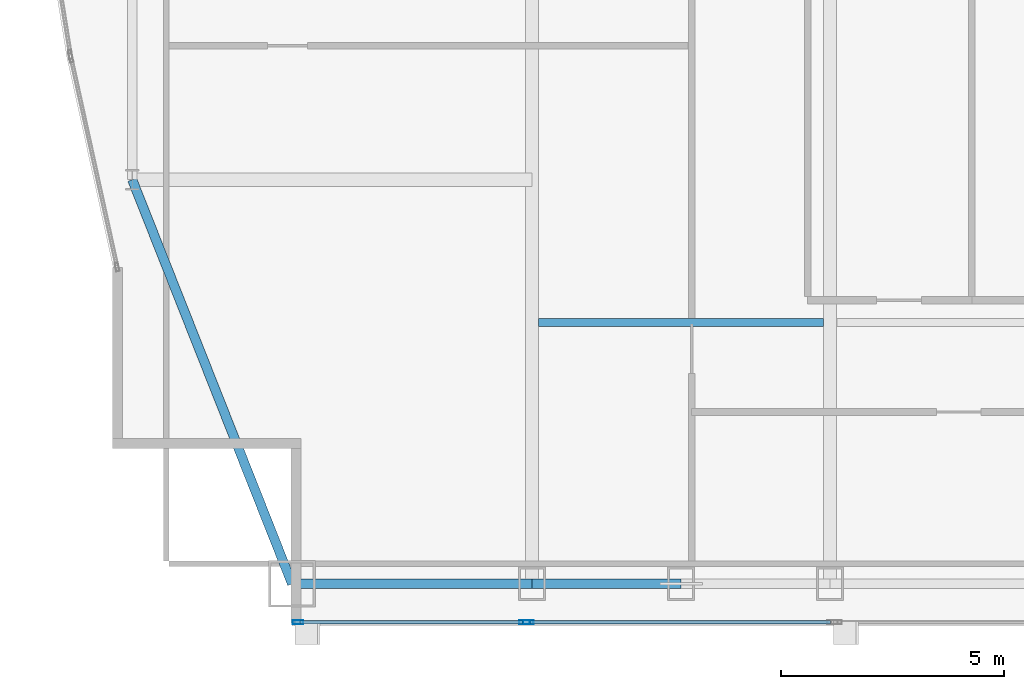
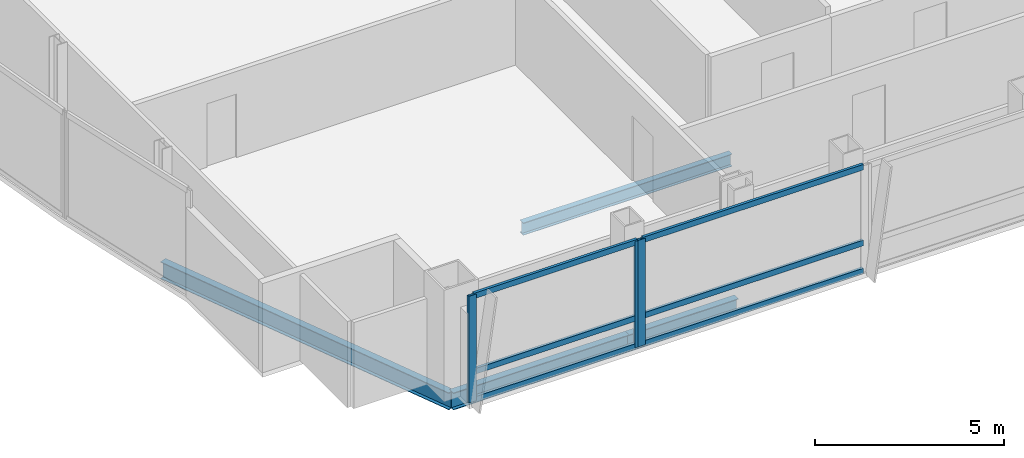
# One storey, part 5 of 30: 9 members, 4 beams, 2 elements without a shape of their own.
"""IFC4 building model written with IfcOpenShell, lengths in metres."""

from ifc_helpers import new_model, si_unit, direction, frame, origin, origin_2d, place, context, subcontext, project, spatial, hollow_rectangle, i_section, extrude, material, material_profile, profile_set, type_object, element, aggregate, save


model = new_model("IFC4")

# Units and contexts
model_context = context("Model", 3, precision=1e-05, world=origin(), true_north=direction((0.0, 1.0)))
body_context = subcontext(model_context, "Body", "Model", "MODEL_VIEW")
ifc_project = project(units=[si_unit("LENGTHUNIT", "METRE"), si_unit("AREAUNIT", "SQUARE_METRE"), si_unit("VOLUMEUNIT", "CUBIC_METRE"), si_unit("PLANEANGLEUNIT", "RADIAN"), si_unit("MASSUNIT", "GRAM", prefix="KILO")], contexts=[model_context])

# Site, building, storey
site_placement = place(None, origin())
site = spatial("IfcSite", under=ifc_project, at=site_placement, CompositionType="ELEMENT")
building_placement = place(site_placement, origin())
building = spatial("IfcBuilding", under=site, at=building_placement, Name="Khoronbel Lancet Exchange", CompositionType="ELEMENT")
storey_placement = place(building_placement, frame((0.0, 0.0, 269.800048828125)))
storey = spatial("IfcBuildingStorey", under=building, at=storey_placement, Name="L69", CompositionType="ELEMENT", Elevation=269.800048828125)

# Beams
ifc_material_1 = material(Name="Steel S355", Category="steel")
ifc_material_profile_1 = material_profile(ifc_material_1, i_section(OverallWidth=0.179931640625, OverallDepth=0.39990234375, WebThickness=0.008544921875, FlangeThickness=0.013427734375, at=origin_2d()), Name="IPE 400")
ifc_profile_set_1 = profile_set([ifc_material_profile_1], Name="Steel S355")
beam_type_1 = type_object("IfcBeamType", Name="BM-BJ5", PredefinedType="JOIST", material=ifc_profile_set_1)
beam_1_placement = place(storey_placement, frame((18.375, 16.0, -0.360107421875), z_axis=(1.0, 0.0, 0.0), x_axis=(0.0, 1.0, 0.0)))
element("IfcBeam", 1, at=beam_1_placement, inside=storey, type_object=beam_type_1, Name="Level L69 secondary composite joist J01", PredefinedType="JOIST", context=body_context, shape_type="SweptSolid", body=[
    extrude(i_section(OverallWidth=0.179931640625, OverallDepth=0.39990234375, WebThickness=0.008544921875, FlangeThickness=0.013427734375, at=origin_2d()), origin(), (0.0, 0.0, 1.0), 6.375),
])
ifc_material_profile_2 = material_profile(ifc_material_1, i_section(OverallWidth=0.2099609375, OverallDepth=0.550048828125, WebThickness=0.010986328125, FlangeThickness=0.01708984375, at=origin_2d()), Name="IPE 550")
ifc_profile_set_2 = profile_set([ifc_material_profile_2], Name="Steel S355")
beam_type_2 = type_object("IfcBeamType", Name="BM-BSP3", PredefinedType="SPANDREL", material=ifc_profile_set_2)
beam_2_placement = place(storey_placement, frame((12.85009765625, 10.14990234375, -0.43505859375), z_axis=(1.0, 0.0, 0.0), x_axis=(0.0, 1.0, 0.0)))
element("IfcBeam", 2, at=beam_2_placement, inside=storey, type_object=beam_type_2, Name="Level L69 perimeter spandrel beam SP01", PredefinedType="SPANDREL", context=body_context, shape_type="SweptSolid", body=[
    extrude(i_section(OverallWidth=0.2099609375, OverallDepth=0.550048828125, WebThickness=0.010986328125, FlangeThickness=0.01708984375, at=origin_2d()), origin(), (0.0, 0.0, 1.0), 5.375),
])
beam_3_placement = place(storey_placement, frame((18.22509765625, 10.14990234375, -0.43505859375), z_axis=(1.0, 0.0, 0.0), x_axis=(0.0, 1.0, 0.0)))
element("IfcBeam", 3, at=beam_3_placement, inside=storey, type_object=beam_type_2, Name="Level L69 perimeter spandrel beam SP02", PredefinedType="SPANDREL", context=body_context, shape_type="SweptSolid", body=[
    extrude(i_section(OverallWidth=0.2099609375, OverallDepth=0.550048828125, WebThickness=0.010986328125, FlangeThickness=0.01708984375, at=origin_2d()), origin(), (0.0, 0.0, 1.0), 3.33740234375),
])
beam_4_placement = place(storey_placement, frame((9.27001953125, 19.199951171875, -0.43505859375), z_axis=(0.367850095026, -0.92988510451, 0.0), x_axis=(0.92988510451, 0.367850095026, 0.0)))
element("IfcBeam", 4, at=beam_4_placement, inside=storey, type_object=beam_type_2, Name="Level L69 perimeter spandrel beam SP21", PredefinedType="SPANDREL", context=body_context, shape_type="SweptSolid", body=[
    extrude(i_section(OverallWidth=0.2099609375, OverallDepth=0.550048828125, WebThickness=0.010986328125, FlangeThickness=0.01708984375, at=origin_2d()), origin(), (0.0, 0.0, 1.0), 9.732421875),
])

# Curtain wall, members
ifc_material_2 = material(Name="Low-E Solar Control Insulating Glass", Category="glass")
curtain_wall_type = type_object("IfcCurtainWallType", Name="CW-3", PredefinedType="NOTDEFINED", material=ifc_material_2)
curtain_wall_1_placement = place(storey_placement, origin())
curtain_wall_1 = element("IfcCurtainWall", 5, at=curtain_wall_1_placement, inside=storey, type_object=curtain_wall_type, Name="Unitised curtain wall CW-L69-SWV", PredefinedType="NOTDEFINED")
ifc_material_3 = material(Name="Bronze-Anodised Aluminium 6063-T6", Category="aluminium")
ifc_material_profile_3 = material_profile(ifc_material_3, hollow_rectangle(XDim=0.0849609375, YDim=0.239990234375, WallThickness=0.006103515625, at=origin_2d()), Name="ALU MULLION 85x240")
ifc_profile_set_3 = profile_set([ifc_material_profile_3], Name="Bronze-Anodised Aluminium 6063-T6")
member_type_1 = type_object("IfcMemberType", Name="MEM-CWM1", PredefinedType="MULLION", material=ifc_profile_set_3)
member_1_placement = place(storey_placement, frame((12.982421875, 9.2900390625, 0.0), z_axis=(0.0, 0.0, 1.0), x_axis=(0.0, 1.0, 0.0)))
member_1 = element("IfcMember", 6, at=member_1_placement, type_object=member_type_1, Name="CW3 mullion 1", PredefinedType="MULLION", context=body_context, shape_type="SweptSolid", body=[
    extrude(hollow_rectangle(XDim=0.0849609375, YDim=0.239990234375, WallThickness=0.006103515625, at=origin_2d()), origin(), (0.0, 0.0, 1.0), 3.43994140625),
])
member_2_placement = place(storey_placement, frame((18.0576171875, 9.2900390625, 0.0), z_axis=(0.0, 0.0, 1.0), x_axis=(0.0, 1.0, 0.0)))
member_2 = element("IfcMember", 7, at=member_2_placement, type_object=member_type_1, Name="CW3 mullion 2", PredefinedType="MULLION", context=body_context, shape_type="SweptSolid", body=[
    extrude(hollow_rectangle(XDim=0.0849609375, YDim=0.239990234375, WallThickness=0.006103515625, at=origin_2d()), origin(), (0.0, 0.0, 1.0), 3.43994140625),
])

# Curtain wall, member
curtain_wall_2_placement = place(storey_placement, origin())
curtain_wall_2 = element("IfcCurtainWall", 8, at=curtain_wall_2_placement, inside=storey, type_object=curtain_wall_type, Name="Unitised curtain wall CW-L69-SWB", PredefinedType="NOTDEFINED")
member_3_placement = place(storey_placement, frame((18.142578125, 9.2900390625, 0.0), z_axis=(0.0, 0.0, 1.0), x_axis=(0.0, 1.0, 0.0)))
member_3 = element("IfcMember", 9, at=member_3_placement, type_object=member_type_1, Name="CW3 mullion 1", PredefinedType="MULLION", context=body_context, shape_type="SweptSolid", body=[
    extrude(hollow_rectangle(XDim=0.0849609375, YDim=0.239990234375, WallThickness=0.006103515625, at=origin_2d()), origin(), (0.0, 0.0, 1.0), 3.43994140625),
])

# Member
ifc_material_profile_4 = material_profile(ifc_material_3, hollow_rectangle(XDim=0.0849609375, YDim=0.179931640625, WallThickness=0.0048828125, at=origin_2d()), Name="ALU TRANSOM 85x180")
ifc_profile_set_4 = profile_set([ifc_material_profile_4], Name="Bronze-Anodised Aluminium 6063-T6")
member_type_2 = type_object("IfcMemberType", Name="MEM-CWT1", PredefinedType="USERDEFINED", material=ifc_profile_set_4)
member_4_placement = place(storey_placement, frame((13.02490234375, 9.2900390625, 0.04248046875), z_axis=(1.0, 0.0, 0.0), x_axis=(0.0, 1.0, 0.0)))
member_4 = element("IfcMember", 10, at=member_4_placement, type_object=member_type_2, Name="CW3 transom 1.1", ObjectType="TRANSOM", PredefinedType="USERDEFINED", context=body_context, shape_type="SweptSolid", body=[
    extrude(hollow_rectangle(XDim=0.0849609375, YDim=0.179931640625, WallThickness=0.0048828125, at=origin_2d()), origin(), (0.0, 0.0, 1.0), 4.989990234375),
])

member_5_placement = place(storey_placement, frame((13.02490234375, 9.2900390625, 0.949951171875), z_axis=(1.0, 0.0, 0.0), x_axis=(0.0, 1.0, 0.0)))
member_5 = element("IfcMember", 11, at=member_5_placement, type_object=member_type_2, Name="CW3 transom 1.2", ObjectType="TRANSOM", PredefinedType="USERDEFINED", context=body_context, shape_type="SweptSolid", body=[
    extrude(hollow_rectangle(XDim=0.0849609375, YDim=0.179931640625, WallThickness=0.0048828125, at=origin_2d()), origin(), (0.0, 0.0, 1.0), 4.989990234375),
])

member_6_placement = place(storey_placement, frame((13.02490234375, 9.2900390625, 3.3974609375), z_axis=(1.0, 0.0, 0.0), x_axis=(0.0, 1.0, 0.0)))
member_6 = element("IfcMember", 12, at=member_6_placement, type_object=member_type_2, Name="CW3 transom 1.3", ObjectType="TRANSOM", PredefinedType="USERDEFINED", context=body_context, shape_type="SweptSolid", body=[
    extrude(hollow_rectangle(XDim=0.0849609375, YDim=0.179931640625, WallThickness=0.0048828125, at=origin_2d()), origin(), (0.0, 0.0, 1.0), 4.989990234375),
])

aggregate(curtain_wall_1, [member_1, member_2, member_4, member_5, member_6])

member_7_placement = place(storey_placement, frame((18.18505859375, 9.2900390625, 0.04248046875), z_axis=(1.0, 0.0, 0.0), x_axis=(0.0, 1.0, 0.0)))
member_7 = element("IfcMember", 13, at=member_7_placement, type_object=member_type_2, Name="CW3 transom 1.1", ObjectType="TRANSOM", PredefinedType="USERDEFINED", context=body_context, shape_type="SweptSolid", body=[
    extrude(hollow_rectangle(XDim=0.0849609375, YDim=0.179931640625, WallThickness=0.0048828125, at=origin_2d()), origin(), (0.0, 0.0, 1.0), 6.72998046875),
])

member_8_placement = place(storey_placement, frame((18.18505859375, 9.2900390625, 0.949951171875), z_axis=(1.0, 0.0, 0.0), x_axis=(0.0, 1.0, 0.0)))
member_8 = element("IfcMember", 14, at=member_8_placement, type_object=member_type_2, Name="CW3 transom 1.2", ObjectType="TRANSOM", PredefinedType="USERDEFINED", context=body_context, shape_type="SweptSolid", body=[
    extrude(hollow_rectangle(XDim=0.0849609375, YDim=0.179931640625, WallThickness=0.0048828125, at=origin_2d()), origin(), (0.0, 0.0, 1.0), 6.72998046875),
])

member_9_placement = place(storey_placement, frame((18.18505859375, 9.2900390625, 3.3974609375), z_axis=(1.0, 0.0, 0.0), x_axis=(0.0, 1.0, 0.0)))
member_9 = element("IfcMember", 15, at=member_9_placement, type_object=member_type_2, Name="CW3 transom 1.3", ObjectType="TRANSOM", PredefinedType="USERDEFINED", context=body_context, shape_type="SweptSolid", body=[
    extrude(hollow_rectangle(XDim=0.0849609375, YDim=0.179931640625, WallThickness=0.0048828125, at=origin_2d()), origin(), (0.0, 0.0, 1.0), 6.72998046875),
])

aggregate(curtain_wall_2, [member_3, member_7, member_8, member_9])

save(model, "model.ifc")
